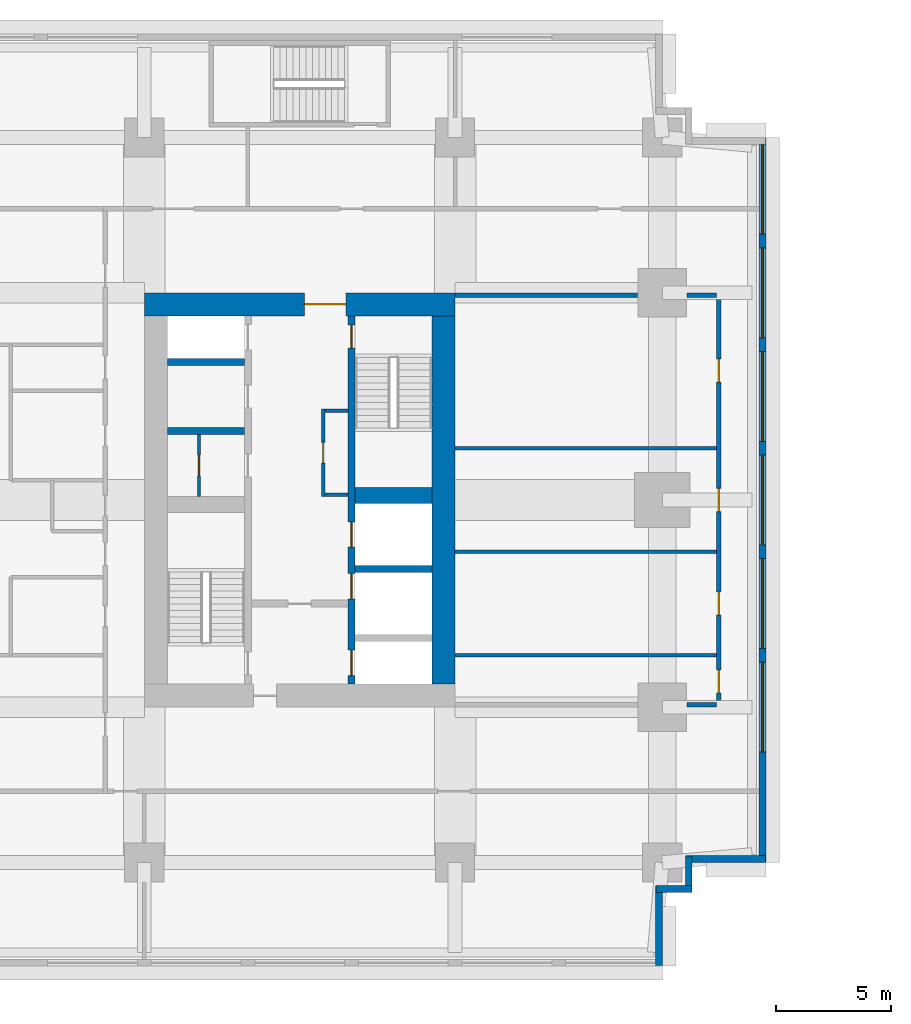
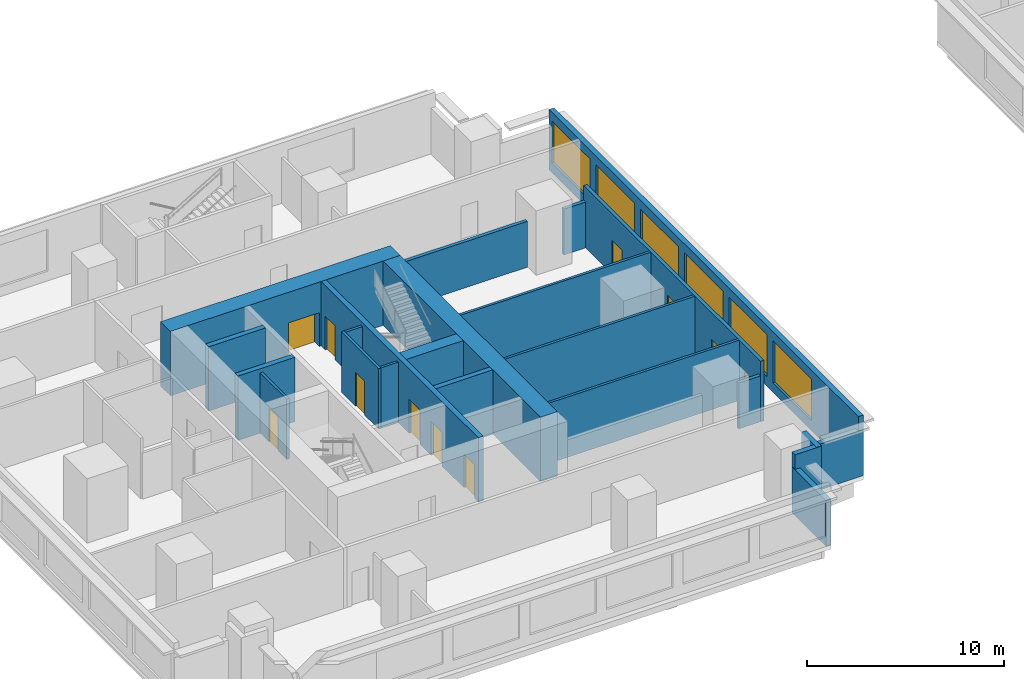
# One storey, part 4 of 10: 23 walls, 11 doors, 6 windows, 17 openings.
"""IFC4 building model written with IfcOpenShell, lengths in metres."""

from ifc_helpers import new_model, si_unit, direction, frame, frame_2d, origin, place, context, subcontext, project, spatial, rectangle, extrude, material, layer, layer_set, type_object, element, fill, save


model = new_model("IFC4")

# Units and contexts
model_context = context("Model", 3, precision=1e-05, world=origin(), true_north=direction((0.0, 1.0)))
body_context = subcontext(model_context, "Body", "Model", "MODEL_VIEW")
ifc_project = project(units=[si_unit("LENGTHUNIT", "METRE"), si_unit("AREAUNIT", "SQUARE_METRE"), si_unit("VOLUMEUNIT", "CUBIC_METRE"), si_unit("PLANEANGLEUNIT", "RADIAN"), si_unit("MASSUNIT", "GRAM", prefix="KILO")], contexts=[model_context])

# Site, building, storey
site_placement = place(None, origin())
site = spatial("IfcSite", under=ifc_project, at=site_placement, CompositionType="ELEMENT")
building_placement = place(site_placement, origin())
building = spatial("IfcBuilding", under=site, at=building_placement, Name="Namib Vertical Campus", CompositionType="ELEMENT")
storey_placement = place(building_placement, frame((0.0, 0.0, 149.0)))
storey = spatial("IfcBuildingStorey", under=building, at=storey_placement, Name="L35", CompositionType="ELEMENT", Elevation=149.0)

# Wall, openings, doors
ifc_material_1 = material(Name="Concrete C60/75", Category="concrete")
ifc_layer_1 = layer(ifc_material_1, 0.300048828125)
ifc_layer_set_1 = layer_set([ifc_layer_1], Name="Concrete C60/75")
wall_type_1 = type_object("IfcWallType", Name="Core inner wall 300", PredefinedType="SHEAR", material=ifc_layer_set_1)
wall_1_placement = place(storey_placement, frame((22.5, 12.25, 0.0), z_axis=(0.0, 0.0, 1.0), x_axis=(0.0, 1.0, 0.0)))
wall_1 = element("IfcWall", 1, at=wall_1_placement, inside=storey, type_object=wall_type_1, Name="Core inner wall A L35 W2", PredefinedType="SHEAR", context=body_context, shape_type="SweptSolid", body=[
    extrude(rectangle(XDim=16.0, YDim=0.300048828125, at=frame_2d((8.0, 0.0))), origin(), (0.0, 0.0, 1.0), 4.0),
])
opening_1_placement = place(wall_1_placement, frame((14.60009765625, 0.0, 0.0)))
opening_1 = element("IfcOpeningElement", 2, at=opening_1_placement, cuts=wall_1, Name="Opening FD1", PredefinedType="OPENING", context=body_context, shape_type="SweptSolid", body=[
    extrude(rectangle(XDim=1.0, YDim=2.10009765625, at=frame_2d((0.5, 1.050048828125))), frame((0.0, 0.159912109375, 0.0), z_axis=(0.0, -1.0, 0.0), x_axis=(1.0, 0.0, 0.0)), (0.0, 0.0, 1.0), 0.320068359375),
])
opening_2_placement = place(wall_1_placement, frame((0.375, 0.0, 0.0)))
opening_2 = element("IfcOpeningElement", 3, at=opening_2_placement, cuts=wall_1, Name="Opening LD1", PredefinedType="OPENING", context=body_context, shape_type="SweptSolid", body=[
    extrude(rectangle(XDim=1.10009765625, YDim=2.10009765625, at=frame_2d((0.550048828125, 1.050048828125))), frame((0.0, 0.159912109375, 0.0), z_axis=(0.0, -1.0, 0.0), x_axis=(1.0, 0.0, 0.0)), (0.0, 0.0, 1.0), 0.320068359375),
])
opening_3_placement = place(wall_1_placement, frame((3.699951171875, 0.0, 0.0)))
opening_3 = element("IfcOpeningElement", 4, at=opening_3_placement, cuts=wall_1, Name="Opening LD1", PredefinedType="OPENING", context=body_context, shape_type="SweptSolid", body=[
    extrude(rectangle(XDim=1.10009765625, YDim=2.10009765625, at=frame_2d((0.550048828125, 1.050048828125))), frame((0.0, 0.159912109375, 0.0), z_axis=(0.0, -1.0, 0.0), x_axis=(1.0, 0.0, 0.0)), (0.0, 0.0, 1.0), 0.320068359375),
])
opening_4_placement = place(wall_1_placement, frame((5.949951171875, 0.0, 0.0)))
opening_4 = element("IfcOpeningElement", 5, at=opening_4_placement, cuts=wall_1, Name="Opening LD1", PredefinedType="OPENING", context=body_context, shape_type="SweptSolid", body=[
    extrude(rectangle(XDim=1.10009765625, YDim=2.10009765625, at=frame_2d((0.550048828125, 1.050048828125))), frame((0.0, 0.159912109375, 0.0), z_axis=(0.0, -1.0, 0.0), x_axis=(1.0, 0.0, 0.0)), (0.0, 0.0, 1.0), 0.320068359375),
])
ifc_material_2 = material(Name="Steel fire door", Category="steel")
door_type_1 = type_object("IfcDoorType", Name="Fire door 1000x2100", OperationType="SINGLE_SWING_RIGHT", PredefinedType="DOOR", material=ifc_material_2)
door_1_placement = place(opening_1_placement, frame((1.0, 0.0, 0.0), z_axis=(0.0, 0.0, 1.0), x_axis=(-1.0, 0.0, 0.0)))
door_1 = element("IfcDoor", 6, at=door_1_placement, inside=storey, type_object=door_type_1, Name="Stair door FD1 A L35 S2", OperationType="SINGLE_SWING_LEFT", OverallHeight=2.10009765625, OverallWidth=1.0, PredefinedType="DOOR", context=body_context, shape_type="SweptSolid", body=[
    extrude(rectangle(XDim=1.0, YDim=2.10009765625, at=frame_2d((0.5, 1.050048828125))), frame((0.0, 0.02490234375, 0.0), z_axis=(0.0, -1.0, 0.0), x_axis=(1.0, 0.0, 0.0)), (0.0, 0.0, 1.0), 0.050048828125),
])
fill(opening_1, door_1)
ifc_material_3 = material(Name="Stainless steel lift door", Category="steel")
door_type_2 = type_object("IfcDoorType", Name="Lift landing door 1100x2100", OperationType="DOUBLE_DOOR_SLIDING", PredefinedType="DOOR", material=ifc_material_3)
door_2_placement = place(opening_2_placement, origin())
door_2 = element("IfcDoor", 7, at=door_2_placement, inside=storey, type_object=door_type_2, Name="Lift landing door LD1 A-FL1 L35", OperationType="DOUBLE_DOOR_SLIDING", OverallHeight=2.10009765625, OverallWidth=1.10009765625, PredefinedType="DOOR", context=body_context, shape_type="SweptSolid", body=[
    extrude(rectangle(XDim=1.10009765625, YDim=2.10009765625, at=frame_2d((0.550048828125, 1.050048828125))), frame((0.0, 0.02490234375, 0.0), z_axis=(0.0, -1.0, 0.0), x_axis=(1.0, 0.0, 0.0)), (0.0, 0.0, 1.0), 0.050048828125),
])
fill(opening_2, door_2)
door_3_placement = place(opening_3_placement, origin())
door_3 = element("IfcDoor", 8, at=door_3_placement, inside=storey, type_object=door_type_2, Name="Lift landing door LD1 A-P4 L35", OperationType="DOUBLE_DOOR_SLIDING", OverallHeight=2.10009765625, OverallWidth=1.10009765625, PredefinedType="DOOR", context=body_context, shape_type="SweptSolid", body=[
    extrude(rectangle(XDim=1.10009765625, YDim=2.10009765625, at=frame_2d((0.550048828125, 1.050048828125))), frame((0.0, 0.02490234375, 0.0), z_axis=(0.0, -1.0, 0.0), x_axis=(1.0, 0.0, 0.0)), (0.0, 0.0, 1.0), 0.050048828125),
])
fill(opening_3, door_3)
door_4_placement = place(opening_4_placement, origin())
door_4 = element("IfcDoor", 9, at=door_4_placement, inside=storey, type_object=door_type_2, Name="Lift landing door LD1 A-P5 L35", OperationType="DOUBLE_DOOR_SLIDING", OverallHeight=2.10009765625, OverallWidth=1.10009765625, PredefinedType="DOOR", context=body_context, shape_type="SweptSolid", body=[
    extrude(rectangle(XDim=1.10009765625, YDim=2.10009765625, at=frame_2d((0.550048828125, 1.050048828125))), frame((0.0, 0.02490234375, 0.0), z_axis=(0.0, -1.0, 0.0), x_axis=(1.0, 0.0, 0.0)), (0.0, 0.0, 1.0), 0.050048828125),
])
fill(opening_4, door_4)

# Walls
for number, where, z_axis, x_axis, name in (
    (10, (22.64990234375, 17.25, 0.0), (0.0, 0.0, 1.0), (1.0, 0.0, 0.0), "Core inner wall A L35 W6"),
    (11, (14.5, 23.25, 0.0), (0.0, 0.0, 1.0), (1.0, 0.0, 0.0), "Core inner wall A L35 W8"),
    (12, (14.5, 26.25, 0.0), (0.0, 0.0, 1.0), (1.0, 0.0, 0.0), "Core inner wall A L35 W9"),
):
    element("IfcWall", number, at=place(storey_placement, frame(where, z_axis=z_axis, x_axis=x_axis)), inside=storey, type_object=wall_type_1, Name=name, PredefinedType="SHEAR", context=body_context, shape_type="SweptSolid", body=[
        extrude(rectangle(XDim=3.35009765625, YDim=0.300048828125, at=frame_2d((1.675048828125, 0.0))), origin(), (0.0, 0.0, 1.0), 4.0),
    ])
ifc_material_4 = material(Name="Concrete C60/75", Category="concrete")
ifc_layer_2 = layer(ifc_material_4, 0.699951171875)
ifc_layer_set_2 = layer_set([ifc_layer_2], Name="Concrete C60/75")
wall_type_2 = type_object("IfcWallType", Name="Core shear wall 700", PredefinedType="SHEAR", material=ifc_layer_set_2)
wall_2_placement = place(storey_placement, frame((22.64990234375, 20.449951171875, 0.0), z_axis=(0.0, 0.0, 1.0), x_axis=(1.0, 0.0, 0.0)))
element("IfcWall", 13, at=wall_2_placement, inside=storey, type_object=wall_type_2, Name="Core shear wall A L35 W7", PredefinedType="SHEAR", context=body_context, shape_type="SweptSolid", body=[
    extrude(rectangle(XDim=3.35009765625, YDim=0.699951171875, at=frame_2d((1.675048828125, 0.0))), origin(), (0.0, 0.0, 1.0), 4.0),
])
ifc_material_5 = material(Name="Concrete C60/75", Category="concrete")
ifc_layer_3 = layer(ifc_material_5, 1.0)
ifc_layer_set_3 = layer_set([ifc_layer_3], Name="Concrete C60/75")
wall_type_3 = type_object("IfcWallType", Name="Core wall 1000", PredefinedType="SHEAR", material=ifc_layer_set_3)
wall_3_placement = place(storey_placement, frame((26.5, 12.25, 0.0), z_axis=(0.0, 0.0, 1.0), x_axis=(0.0, 1.0, 0.0)))
element("IfcWall", 14, at=wall_3_placement, inside=storey, type_object=wall_type_3, Name="Core wall A L35 2", PredefinedType="SHEAR", context=body_context, shape_type="SweptSolid", body=[
    extrude(rectangle(XDim=16.0, YDim=1.0, at=frame_2d((8.0, 0.0))), origin(), (0.0, 0.0, 1.0), 4.0),
])

# Wall, opening, door
wall_4_placement = place(storey_placement, frame((27.0, 28.75, 0.0), z_axis=(0.0, 0.0, 1.0), x_axis=(-1.0, 0.0, 0.0)))
wall_4 = element("IfcWall", 15, at=wall_4_placement, inside=storey, type_object=wall_type_3, Name="Core wall A L35 3", PredefinedType="SHEAR", context=body_context, shape_type="SweptSolid", body=[
    extrude(rectangle(XDim=13.5, YDim=1.0, at=frame_2d((6.75, 0.0))), origin(), (0.0, 0.0, 1.0), 4.0),
])
opening_5_placement = place(wall_4_placement, frame((4.75, 0.0, 0.0)))
opening_5 = element("IfcOpeningElement", 16, at=opening_5_placement, cuts=wall_4, Name="Opening FD2", PredefinedType="OPENING", context=body_context, shape_type="SweptSolid", body=[
    extrude(rectangle(XDim=1.800048828125, YDim=2.10009765625, at=frame_2d((0.89990234375, 1.050048828125))), frame((0.0, 0.510009765625, 0.0), z_axis=(0.0, -1.0, 0.0), x_axis=(1.0, 0.0, 0.0)), (0.0, 0.0, 1.0), 1.02001953125),
])
ifc_material_6 = material(Name="Steel fire door", Category="steel")
door_type_3 = type_object("IfcDoorType", Name="Fire door double 1800x2100", OperationType="DOUBLE_DOOR_SINGLE_SWING", PredefinedType="DOOR", material=ifc_material_6)
door_5_placement = place(opening_5_placement, origin())
door_5 = element("IfcDoor", 17, at=door_5_placement, inside=storey, type_object=door_type_3, Name="Lift lobby door FD2 A L35", OperationType="DOUBLE_DOOR_SINGLE_SWING", OverallHeight=2.10009765625, OverallWidth=1.800048828125, PredefinedType="DOOR", context=body_context, shape_type="SweptSolid", body=[
    extrude(rectangle(XDim=1.800048828125, YDim=2.10009765625, at=frame_2d((0.89990234375, 1.050048828125))), frame((0.0, 0.02490234375, 0.0), z_axis=(0.0, -1.0, 0.0), x_axis=(1.0, 0.0, 0.0)), (0.0, 0.0, 1.0), 0.050048828125),
])
fill(opening_5, door_5)

# Wall, openings, doors
ifc_material_7 = material(Name="Concrete masonry", Category="masonry")
ifc_layer_4 = layer(ifc_material_7, 0.199951171875)
ifc_layer_set_4 = layer_set([ifc_layer_4], Name="Corridor wall 200")
wall_type_4 = type_object("IfcWallType", Name="Corridor wall 200", PredefinedType="SOLIDWALL", material=ifc_layer_set_4)
wall_5_placement = place(storey_placement, frame((38.449951171875, 11.25, 0.0), z_axis=(0.0, 0.0, 1.0), x_axis=(0.0, 1.0, 0.0)))
wall_5 = element("IfcWall", 18, at=wall_5_placement, inside=storey, type_object=wall_type_4, Name="Corridor wall A L35 CG", PredefinedType="SOLIDWALL", context=body_context, shape_type="SweptSolid", body=[
    extrude(rectangle(XDim=18.0, YDim=0.199951171875, at=frame_2d((9.0, 0.0))), origin(), (0.0, 0.0, 1.0), 3.75),
])
opening_6_placement = place(wall_5_placement, frame((0.625, 0.0, 0.0)))
opening_6 = element("IfcOpeningElement", 19, at=opening_6_placement, cuts=wall_5, Name="Opening CD1", PredefinedType="OPENING", context=body_context, shape_type="SweptSolid", body=[
    extrude(rectangle(XDim=1.0, YDim=2.10009765625, at=frame_2d((0.5, 1.050048828125))), frame((0.0, 0.10986328125, 0.0), z_axis=(0.0, -1.0, 0.0), x_axis=(1.0, 0.0, 0.0)), (0.0, 0.0, 1.0), 0.219970703125),
])
opening_7_placement = place(wall_5_placement, frame((4.0, 0.0, 0.0)))
opening_7 = element("IfcOpeningElement", 20, at=opening_7_placement, cuts=wall_5, Name="Opening CD1", PredefinedType="OPENING", context=body_context, shape_type="SweptSolid", body=[
    extrude(rectangle(XDim=1.0, YDim=2.10009765625, at=frame_2d((0.5, 1.050048828125))), frame((0.0, 0.10986328125, 0.0), z_axis=(0.0, -1.0, 0.0), x_axis=(1.0, 0.0, 0.0)), (0.0, 0.0, 1.0), 0.219970703125),
])
opening_8_placement = place(wall_5_placement, frame((8.5, 0.0, 0.0)))
opening_8 = element("IfcOpeningElement", 21, at=opening_8_placement, cuts=wall_5, Name="Opening CD1", PredefinedType="OPENING", context=body_context, shape_type="SweptSolid", body=[
    extrude(rectangle(XDim=1.0, YDim=2.10009765625, at=frame_2d((0.5, 1.050048828125))), frame((0.0, 0.10986328125, 0.0), z_axis=(0.0, -1.0, 0.0), x_axis=(1.0, 0.0, 0.0)), (0.0, 0.0, 1.0), 0.219970703125),
])
opening_9_placement = place(wall_5_placement, frame((14.125, 0.0, 0.0)))
opening_9 = element("IfcOpeningElement", 22, at=opening_9_placement, cuts=wall_5, Name="Opening CD1", PredefinedType="OPENING", context=body_context, shape_type="SweptSolid", body=[
    extrude(rectangle(XDim=1.0, YDim=2.10009765625, at=frame_2d((0.5, 1.050048828125))), frame((0.0, 0.10986328125, 0.0), z_axis=(0.0, -1.0, 0.0), x_axis=(1.0, 0.0, 0.0)), (0.0, 0.0, 1.0), 0.219970703125),
])
ifc_material_8 = material(Name="Timber fire door leaf", Category="wood")
door_type_4 = type_object("IfcDoorType", Name="Corridor door 1000x2100 20 min", OperationType="SINGLE_SWING_LEFT", PredefinedType="DOOR", material=ifc_material_8)
door_6_placement = place(opening_6_placement, origin())
door_6 = element("IfcDoor", 23, at=door_6_placement, inside=storey, type_object=door_type_4, Name="Door CD1 A35-03", OperationType="SINGLE_SWING_LEFT", OverallHeight=2.10009765625, OverallWidth=1.0, PredefinedType="DOOR", context=body_context, shape_type="SweptSolid", body=[
    extrude(rectangle(XDim=1.0, YDim=2.10009765625, at=frame_2d((0.5, 1.050048828125))), frame((0.0, 0.02490234375, 0.0), z_axis=(0.0, -1.0, 0.0), x_axis=(1.0, 0.0, 0.0)), (0.0, 0.0, 1.0), 0.050048828125),
])
fill(opening_6, door_6)
door_7_placement = place(opening_7_placement, origin())
door_7 = element("IfcDoor", 24, at=door_7_placement, inside=storey, type_object=door_type_4, Name="Door CD1 A35-04", OperationType="SINGLE_SWING_LEFT", OverallHeight=2.10009765625, OverallWidth=1.0, PredefinedType="DOOR", context=body_context, shape_type="SweptSolid", body=[
    extrude(rectangle(XDim=1.0, YDim=2.10009765625, at=frame_2d((0.5, 1.050048828125))), frame((0.0, 0.02490234375, 0.0), z_axis=(0.0, -1.0, 0.0), x_axis=(1.0, 0.0, 0.0)), (0.0, 0.0, 1.0), 0.050048828125),
])
fill(opening_7, door_7)
door_8_placement = place(opening_8_placement, origin())
door_8 = element("IfcDoor", 25, at=door_8_placement, inside=storey, type_object=door_type_4, Name="Door CD1 A35-05", OperationType="SINGLE_SWING_LEFT", OverallHeight=2.10009765625, OverallWidth=1.0, PredefinedType="DOOR", context=body_context, shape_type="SweptSolid", body=[
    extrude(rectangle(XDim=1.0, YDim=2.10009765625, at=frame_2d((0.5, 1.050048828125))), frame((0.0, 0.02490234375, 0.0), z_axis=(0.0, -1.0, 0.0), x_axis=(1.0, 0.0, 0.0)), (0.0, 0.0, 1.0), 0.050048828125),
])
fill(opening_8, door_8)
door_9_placement = place(opening_9_placement, origin())
door_9 = element("IfcDoor", 26, at=door_9_placement, inside=storey, type_object=door_type_4, Name="Door CD1 A35-06", OperationType="SINGLE_SWING_LEFT", OverallHeight=2.10009765625, OverallWidth=1.0, PredefinedType="DOOR", context=body_context, shape_type="SweptSolid", body=[
    extrude(rectangle(XDim=1.0, YDim=2.10009765625, at=frame_2d((0.5, 1.050048828125))), frame((0.0, 0.02490234375, 0.0), z_axis=(0.0, -1.0, 0.0), x_axis=(1.0, 0.0, 0.0)), (0.0, 0.0, 1.0), 0.050048828125),
])
fill(opening_9, door_9)

# Walls
wall_6_placement = place(storey_placement, frame((37.070068359375, 11.35009765625, 0.0), z_axis=(0.0, 0.0, 1.0), x_axis=(1.0, 0.0, 0.0)))
element("IfcWall", 27, at=wall_6_placement, inside=storey, type_object=wall_type_4, Name="Corridor wall A L35 GS", PredefinedType="SOLIDWALL", context=body_context, shape_type="SweptSolid", body=[
    extrude(rectangle(XDim=1.280029296875, YDim=0.199951171875, at=frame_2d((0.64013671875, 0.0))), origin(), (0.0, 0.0, 1.0), 2.85009765625),
])
wall_7_placement = place(storey_placement, frame((27.0, 29.14990234375, 0.0), z_axis=(0.0, 0.0, 1.0), x_axis=(1.0, 0.0, 0.0)))
element("IfcWall", 28, at=wall_7_placement, inside=storey, type_object=wall_type_4, Name="Corridor wall A L35 GN", PredefinedType="SOLIDWALL", context=body_context, shape_type="SweptSolid", body=[
    extrude(rectangle(XDim=7.929931640625, YDim=0.199951171875, at=frame_2d((3.96484375, 0.0))), origin(), (0.0, 0.0, 1.0), 2.85009765625),
])
wall_8_placement = place(storey_placement, frame((37.070068359375, 29.14990234375, 0.0), z_axis=(0.0, 0.0, 1.0), x_axis=(1.0, 0.0, 0.0)))
element("IfcWall", 29, at=wall_8_placement, inside=storey, type_object=wall_type_4, Name="Corridor wall A L35 GN", PredefinedType="SOLIDWALL", context=body_context, shape_type="SweptSolid", body=[
    extrude(rectangle(XDim=1.280029296875, YDim=0.199951171875, at=frame_2d((0.64013671875, 0.0))), origin(), (0.0, 0.0, 1.0), 2.85009765625),
])
ifc_material_9 = material(Name="Concrete C40/50", Category="concrete")
ifc_layer_5 = layer(ifc_material_9, 0.300048828125)
ifc_layer_set_5 = layer_set([ifc_layer_5], Name="Concrete C40/50")
wall_type_5 = type_object("IfcWallType", Name="External wall 300 board-marked concrete", PredefinedType="STANDARD", material=ifc_layer_set_5)
wall_9_placement = place(storey_placement, frame((35.85009765625, 0.02001953125, 0.0), z_axis=(0.0, 0.0, 1.0), x_axis=(0.0, 1.0, 0.0)))
element("IfcWall", 30, at=wall_9_placement, inside=storey, type_object=wall_type_5, Name="External wall L35 F02", PredefinedType="STANDARD", context=body_context, shape_type="SweptSolid", body=[
    extrude(rectangle(XDim=3.4599609375, YDim=0.300048828125, at=frame_2d((1.72998046875, 0.0))), origin(), (0.0, 0.0, 1.0), 2.85009765625),
])
for number, where, z_axis, x_axis, name in (
    (31, (35.719970703125, 3.35009765625, 0.0), (0.0, 0.0, 1.0), (1.0, 0.0, 0.0), "External wall L35 F03"),
    (32, (37.14990234375, 3.219970703125, 0.0), (0.0, 0.0, 1.0), (0.0, 1.0, 0.0), "External wall L35 F04"),
):
    element("IfcWall", number, at=place(storey_placement, frame(where, z_axis=z_axis, x_axis=x_axis)), inside=storey, type_object=wall_type_5, Name=name, PredefinedType="STANDARD", context=body_context, shape_type="SweptSolid", body=[
        extrude(rectangle(XDim=1.56005859375, YDim=0.300048828125, at=frame_2d((0.780029296875, 0.0))), origin(), (0.0, 0.0, 1.0), 3.75),
    ])
wall_10_placement = place(storey_placement, frame((37.02001953125, 4.64990234375, 0.0), z_axis=(0.0, 0.0, 1.0), x_axis=(1.0, 0.0, 0.0)))
element("IfcWall", 33, at=wall_10_placement, inside=storey, type_object=wall_type_5, Name="External wall L35 F05", PredefinedType="STANDARD", context=body_context, shape_type="SweptSolid", body=[
    extrude(rectangle(XDim=3.4599609375, YDim=0.300048828125, at=frame_2d((1.72998046875, 0.0))), origin(), (0.0, 0.0, 1.0), 2.85009765625),
])

# Wall, openings, windows
wall_11_placement = place(storey_placement, frame((40.35009765625, 4.52001953125, 0.0), z_axis=(0.0, 0.0, 1.0), x_axis=(0.0, 1.0, 0.0)))
wall_11 = element("IfcWall", 34, at=wall_11_placement, inside=storey, type_object=wall_type_5, Name="External wall L35 F06", PredefinedType="STANDARD", context=body_context, shape_type="SweptSolid", body=[
    extrude(rectangle(XDim=31.4599609375, YDim=0.300048828125, at=frame_2d((15.72998046875, 0.0))), origin(), (0.0, 0.0, 1.0), 3.75),
])
opening_10_placement = place(wall_11_placement, frame((4.780029296875, 0.0, 0.60009765625)))
opening_10 = element("IfcOpeningElement", 35, at=opening_10_placement, cuts=wall_11, Name="Opening W2", PredefinedType="OPENING", context=body_context, shape_type="SweptSolid", body=[
    extrude(rectangle(XDim=3.89990234375, YDim=2.60009765625, at=frame_2d((1.949951171875, 1.300048828125))), frame((0.0, 0.159912109375, 0.0), z_axis=(0.0, -1.0, 0.0), x_axis=(1.0, 0.0, 0.0)), (0.0, 0.0, 1.0), 0.320068359375),
])
opening_11_placement = place(wall_11_placement, frame((9.280029296875, 0.0, 0.60009765625)))
opening_11 = element("IfcOpeningElement", 36, at=opening_11_placement, cuts=wall_11, Name="Opening W2", PredefinedType="OPENING", context=body_context, shape_type="SweptSolid", body=[
    extrude(rectangle(XDim=3.89990234375, YDim=2.60009765625, at=frame_2d((1.949951171875, 1.300048828125))), frame((0.0, 0.159912109375, 0.0), z_axis=(0.0, -1.0, 0.0), x_axis=(1.0, 0.0, 0.0)), (0.0, 0.0, 1.0), 0.320068359375),
])
opening_12_placement = place(wall_11_placement, frame((13.780029296875, 0.0, 0.60009765625)))
opening_12 = element("IfcOpeningElement", 37, at=opening_12_placement, cuts=wall_11, Name="Opening W2", PredefinedType="OPENING", context=body_context, shape_type="SweptSolid", body=[
    extrude(rectangle(XDim=3.89990234375, YDim=2.60009765625, at=frame_2d((1.949951171875, 1.300048828125))), frame((0.0, 0.159912109375, 0.0), z_axis=(0.0, -1.0, 0.0), x_axis=(1.0, 0.0, 0.0)), (0.0, 0.0, 1.0), 0.320068359375),
])
opening_13_placement = place(wall_11_placement, frame((18.280029296875, 0.0, 0.60009765625)))
opening_13 = element("IfcOpeningElement", 38, at=opening_13_placement, cuts=wall_11, Name="Opening W2", PredefinedType="OPENING", context=body_context, shape_type="SweptSolid", body=[
    extrude(rectangle(XDim=3.89990234375, YDim=2.60009765625, at=frame_2d((1.949951171875, 1.300048828125))), frame((0.0, 0.159912109375, 0.0), z_axis=(0.0, -1.0, 0.0), x_axis=(1.0, 0.0, 0.0)), (0.0, 0.0, 1.0), 0.320068359375),
])
opening_14_placement = place(wall_11_placement, frame((22.780029296875, 0.0, 0.60009765625)))
opening_14 = element("IfcOpeningElement", 39, at=opening_14_placement, cuts=wall_11, Name="Opening W2", PredefinedType="OPENING", context=body_context, shape_type="SweptSolid", body=[
    extrude(rectangle(XDim=3.89990234375, YDim=2.60009765625, at=frame_2d((1.949951171875, 1.300048828125))), frame((0.0, 0.159912109375, 0.0), z_axis=(0.0, -1.0, 0.0), x_axis=(1.0, 0.0, 0.0)), (0.0, 0.0, 1.0), 0.320068359375),
])
opening_15_placement = place(wall_11_placement, frame((27.280029296875, 0.0, 0.60009765625)))
opening_15 = element("IfcOpeningElement", 40, at=opening_15_placement, cuts=wall_11, Name="Opening W2", PredefinedType="OPENING", context=body_context, shape_type="SweptSolid", body=[
    extrude(rectangle(XDim=3.89990234375, YDim=2.60009765625, at=frame_2d((1.949951171875, 1.300048828125))), frame((0.0, 0.159912109375, 0.0), z_axis=(0.0, -1.0, 0.0), x_axis=(1.0, 0.0, 0.0)), (0.0, 0.0, 1.0), 0.320068359375),
])
ifc_material_10 = material(Name="Dark tinted glass in black aluminium frame", Category="aluminium")
window_type = type_object("IfcWindowType", Name="Ribbon window 3900x2600", PartitioningType="SINGLE_PANEL", PredefinedType="WINDOW", material=ifc_material_10)
window_1_placement = place(opening_10_placement, origin())
window_1 = element("IfcWindow", 41, at=window_1_placement, inside=storey, type_object=window_type, Name="Window W2 L35 F06-2", OverallHeight=2.60009765625, OverallWidth=3.89990234375, PartitioningType="SINGLE_PANEL", PredefinedType="WINDOW", context=body_context, shape_type="SweptSolid", body=[
    extrude(rectangle(XDim=3.89990234375, YDim=2.60009765625, at=frame_2d((1.949951171875, 1.300048828125))), frame((0.0, 0.030029296875, 0.0), z_axis=(0.0, -1.0, 0.0), x_axis=(1.0, 0.0, 0.0)), (0.0, 0.0, 1.0), 0.06005859375),
])
fill(opening_10, window_1)
window_2_placement = place(opening_11_placement, origin())
window_2 = element("IfcWindow", 42, at=window_2_placement, inside=storey, type_object=window_type, Name="Window W2 L35 F06-3", OverallHeight=2.60009765625, OverallWidth=3.89990234375, PartitioningType="SINGLE_PANEL", PredefinedType="WINDOW", context=body_context, shape_type="SweptSolid", body=[
    extrude(rectangle(XDim=3.89990234375, YDim=2.60009765625, at=frame_2d((1.949951171875, 1.300048828125))), frame((0.0, 0.030029296875, 0.0), z_axis=(0.0, -1.0, 0.0), x_axis=(1.0, 0.0, 0.0)), (0.0, 0.0, 1.0), 0.06005859375),
])
fill(opening_11, window_2)
window_3_placement = place(opening_12_placement, origin())
window_3 = element("IfcWindow", 43, at=window_3_placement, inside=storey, type_object=window_type, Name="Window W2 L35 F06-4", OverallHeight=2.60009765625, OverallWidth=3.89990234375, PartitioningType="SINGLE_PANEL", PredefinedType="WINDOW", context=body_context, shape_type="SweptSolid", body=[
    extrude(rectangle(XDim=3.89990234375, YDim=2.60009765625, at=frame_2d((1.949951171875, 1.300048828125))), frame((0.0, 0.030029296875, 0.0), z_axis=(0.0, -1.0, 0.0), x_axis=(1.0, 0.0, 0.0)), (0.0, 0.0, 1.0), 0.06005859375),
])
fill(opening_12, window_3)
window_4_placement = place(opening_13_placement, origin())
window_4 = element("IfcWindow", 44, at=window_4_placement, inside=storey, type_object=window_type, Name="Window W2 L35 F06-5", OverallHeight=2.60009765625, OverallWidth=3.89990234375, PartitioningType="SINGLE_PANEL", PredefinedType="WINDOW", context=body_context, shape_type="SweptSolid", body=[
    extrude(rectangle(XDim=3.89990234375, YDim=2.60009765625, at=frame_2d((1.949951171875, 1.300048828125))), frame((0.0, 0.030029296875, 0.0), z_axis=(0.0, -1.0, 0.0), x_axis=(1.0, 0.0, 0.0)), (0.0, 0.0, 1.0), 0.06005859375),
])
fill(opening_13, window_4)
window_5_placement = place(opening_14_placement, origin())
window_5 = element("IfcWindow", 45, at=window_5_placement, inside=storey, type_object=window_type, Name="Window W2 L35 F06-6", OverallHeight=2.60009765625, OverallWidth=3.89990234375, PartitioningType="SINGLE_PANEL", PredefinedType="WINDOW", context=body_context, shape_type="SweptSolid", body=[
    extrude(rectangle(XDim=3.89990234375, YDim=2.60009765625, at=frame_2d((1.949951171875, 1.300048828125))), frame((0.0, 0.030029296875, 0.0), z_axis=(0.0, -1.0, 0.0), x_axis=(1.0, 0.0, 0.0)), (0.0, 0.0, 1.0), 0.06005859375),
])
fill(opening_14, window_5)
window_6_placement = place(opening_15_placement, origin())
window_6 = element("IfcWindow", 46, at=window_6_placement, inside=storey, type_object=window_type, Name="Window W2 L35 F06-7", OverallHeight=2.60009765625, OverallWidth=3.89990234375, PartitioningType="SINGLE_PANEL", PredefinedType="WINDOW", context=body_context, shape_type="SweptSolid", body=[
    extrude(rectangle(XDim=3.89990234375, YDim=2.60009765625, at=frame_2d((1.949951171875, 1.300048828125))), frame((0.0, 0.030029296875, 0.0), z_axis=(0.0, -1.0, 0.0), x_axis=(1.0, 0.0, 0.0)), (0.0, 0.0, 1.0), 0.06005859375),
])
fill(opening_15, window_6)

# Wall, opening, door
ifc_material_11 = material(Name="Gypsum board on steel studs", Category="steel")
ifc_layer_6 = layer(ifc_material_11, 0.14990234375)
ifc_layer_set_6 = layer_set([ifc_layer_6], Name="Gypsum board on steel studs")
wall_type_6 = type_object("IfcWallType", Name="Partition 150", PredefinedType="PARTITIONING", material=ifc_layer_set_6)
wall_12_placement = place(storey_placement, frame((21.27490234375, 20.39990234375, 0.0), z_axis=(0.0, 0.0, 1.0), x_axis=(0.0, 1.0, 0.0)))
wall_12 = element("IfcWall", 47, at=wall_12_placement, inside=storey, type_object=wall_type_6, Name="Partition A L35 Linen store front", PredefinedType="PARTITIONING", context=body_context, shape_type="SweptSolid", body=[
    extrude(rectangle(XDim=3.800048828125, YDim=0.14990234375, at=frame_2d((1.89990234375, 0.0))), origin(), (0.0, 0.0, 1.0), 3.75),
])
opening_16_placement = place(wall_12_placement, frame((1.449951171875, 0.0, 0.0)))
opening_16 = element("IfcOpeningElement", 48, at=opening_16_placement, cuts=wall_12, Name="Opening D3", PredefinedType="OPENING", context=body_context, shape_type="SweptSolid", body=[
    extrude(rectangle(XDim=0.89990234375, YDim=2.10009765625, at=frame_2d((0.449951171875, 1.050048828125))), frame((0.0, 0.0849609375, 0.0), z_axis=(0.0, -1.0, 0.0), x_axis=(1.0, 0.0, 0.0)), (0.0, 0.0, 1.0), 0.169921875),
])
ifc_material_12 = material(Name="Timber door leaf", Category="wood")
door_type_5 = type_object("IfcDoorType", Name="Toilet door 900x2100", OperationType="SINGLE_SWING_LEFT", PredefinedType="DOOR", material=ifc_material_12)
door_10_placement = place(opening_16_placement, frame((0.89990234375, 0.0, 0.0), z_axis=(0.0, 0.0, 1.0), x_axis=(-1.0, 0.0, 0.0)))
door_10 = element("IfcDoor", 49, at=door_10_placement, inside=storey, type_object=door_type_5, Name="Door D3 Linen store A L35", OperationType="SINGLE_SWING_RIGHT", OverallHeight=2.10009765625, OverallWidth=0.89990234375, PredefinedType="DOOR", context=body_context, shape_type="SweptSolid", body=[
    extrude(rectangle(XDim=0.89990234375, YDim=2.10009765625, at=frame_2d((0.449951171875, 1.050048828125))), frame((0.0, 0.02490234375, 0.0), z_axis=(0.0, -1.0, 0.0), x_axis=(1.0, 0.0, 0.0)), (0.0, 0.0, 1.0), 0.050048828125),
])
fill(opening_16, door_10)

# Walls
for number, where, z_axis, x_axis, name in (
    (50, (21.35009765625, 20.47509765625, 0.0), (0.0, 0.0, 1.0), (1.0, 0.0, 0.0), "Partition A L35 Linen store end 1"),
    (51, (21.35009765625, 24.125, 0.0), (0.0, 0.0, 1.0), (1.0, 0.0, 0.0), "Partition A L35 Linen store end 2"),
):
    element("IfcWall", number, at=place(storey_placement, frame(where, z_axis=z_axis, x_axis=x_axis)), inside=storey, type_object=wall_type_6, Name=name, PredefinedType="PARTITIONING", context=body_context, shape_type="SweptSolid", body=[
        extrude(rectangle(XDim=1.0, YDim=0.14990234375, at=frame_2d((0.5, 0.0))), origin(), (0.0, 0.0, 1.0), 3.75),
    ])

# Wall, opening, door
wall_13_placement = place(storey_placement, frame((15.875, 20.39990234375, 0.0), z_axis=(0.0, 0.0, 1.0), x_axis=(0.0, 1.0, 0.0)))
wall_13 = element("IfcWall", 52, at=wall_13_placement, inside=storey, type_object=wall_type_6, Name="Partition A L35 Records store P1 back", PredefinedType="PARTITIONING", context=body_context, shape_type="SweptSolid", body=[
    extrude(rectangle(XDim=2.7001953125, YDim=0.14990234375, at=frame_2d((1.35009765625, 0.0))), origin(), (0.0, 0.0, 1.0), 3.75),
])
opening_17_placement = place(wall_13_placement, frame((0.89990234375, 0.0, 0.0)))
opening_17 = element("IfcOpeningElement", 53, at=opening_17_placement, cuts=wall_13, Name="Opening D3", PredefinedType="OPENING", context=body_context, shape_type="SweptSolid", body=[
    extrude(rectangle(XDim=0.89990234375, YDim=2.10009765625, at=frame_2d((0.449951171875, 1.050048828125))), frame((0.0, 0.0849609375, 0.0), z_axis=(0.0, -1.0, 0.0), x_axis=(1.0, 0.0, 0.0)), (0.0, 0.0, 1.0), 0.169921875),
])
door_11_placement = place(opening_17_placement, origin())
door_11 = element("IfcDoor", 54, at=door_11_placement, inside=storey, type_object=door_type_5, Name="Door D3 Store A L35 P1", OperationType="SINGLE_SWING_LEFT", OverallHeight=2.10009765625, OverallWidth=0.89990234375, PredefinedType="DOOR", context=body_context, shape_type="SweptSolid", body=[
    extrude(rectangle(XDim=0.89990234375, YDim=2.10009765625, at=frame_2d((0.449951171875, 1.050048828125))), frame((0.0, 0.02490234375, 0.0), z_axis=(0.0, -1.0, 0.0), x_axis=(1.0, 0.0, 0.0)), (0.0, 0.0, 1.0), 0.050048828125),
])
fill(opening_17, door_11)

# Walls
for number, where, z_axis, x_axis, name in (
    (55, (27.0, 13.5, 0.0), (0.0, 0.0, 1.0), (1.0, 0.0, 0.0), "Partition A L35 PE1"),
    (56, (27.0, 18.0, 0.0), (0.0, 0.0, 1.0), (1.0, 0.0, 0.0), "Partition A L35 PE2"),
    (57, (27.0, 22.5, 0.0), (0.0, 0.0, 1.0), (1.0, 0.0, 0.0), "Partition A L35 PE3"),
):
    element("IfcWall", number, at=place(storey_placement, frame(where, z_axis=z_axis, x_axis=x_axis)), inside=storey, type_object=wall_type_6, Name=name, PredefinedType="PARTITIONING", context=body_context, shape_type="SweptSolid", body=[
        extrude(rectangle(XDim=11.35009765625, YDim=0.14990234375, at=frame_2d((5.675048828125, 0.0))), origin(), (0.0, 0.0, 1.0), 3.75),
    ])

save(model, "model.ifc")
